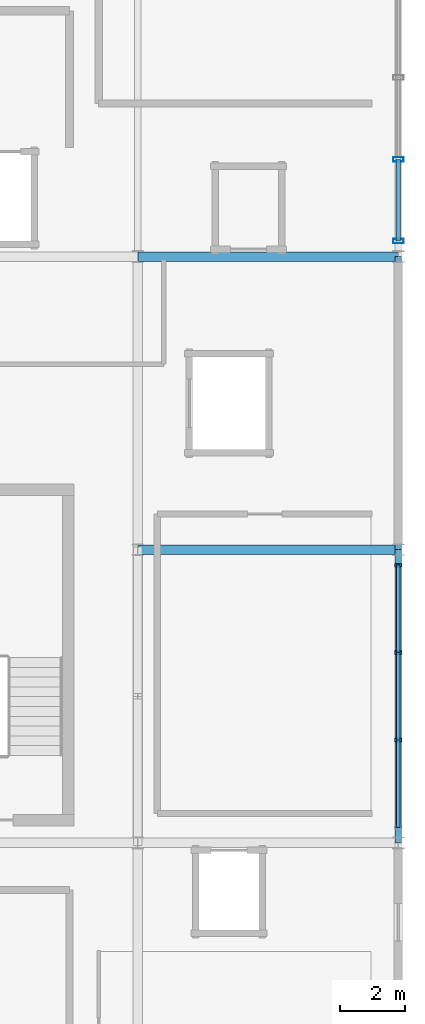
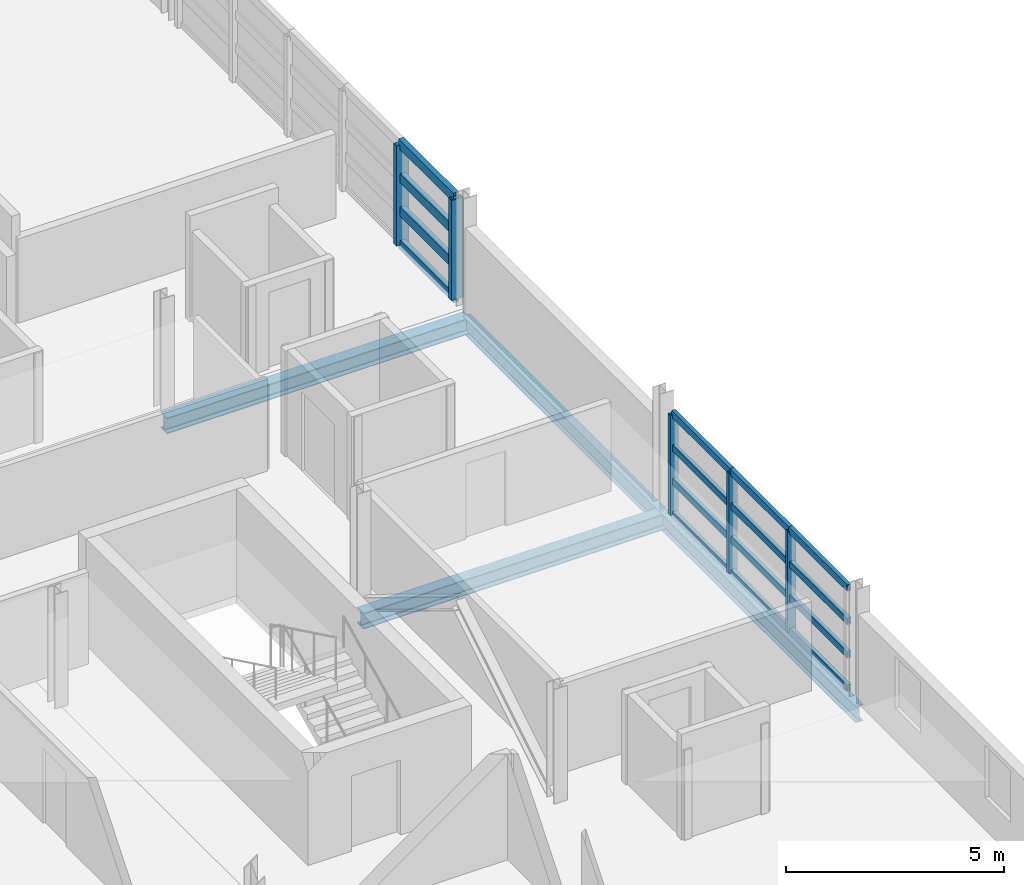
# One storey, part 17 of 30: 21 members, 4 beams, 2 elements without a shape of their own.
"""IFC4 building model written with IfcOpenShell, lengths in metres."""

import ifcopenshell
import ifcopenshell.guid

model = None  # the IFC model being written
_history = None  # IfcOwnerHistory: only IFC2X3 demands one
_inside = {}  # id of a spatial element -> (the spatial element, [elements in it])
_under = {}  # id of a project, library or spatial element -> (it, [spatial elements below it])
_declared = {}  # id of a project -> (the project, [libraries it declares])
_typed = {}  # id of a type object -> (the type object, [elements of that type])
_made_of = {}  # id of a material, layer set ... -> (it, [elements and type objects made of it])


def new_model(schema):
    """Start an empty IFC model of exactly this schema.

    Asked for "IFC4X3", IfcOpenShell would pick the latest addendum, in which some entities
    have other attributes; the version numbers below select the first issue.
    IFC2X3 requires an IfcOwnerHistory on every rooted entity: one is made here for all.
    """
    global model, _history
    if schema == "IFC4X3":
        model = ifcopenshell.file(schema_version=(4, 3, 0, 0))
    else:
        model = ifcopenshell.file(schema=schema)
    _inside.clear()
    _under.clear()
    _declared.clear()
    _typed.clear()
    _made_of.clear()
    _history = None
    if model.schema == "IFC2X3":
        org = make("IfcOrganization", Name="unknown")
        user = make(
            "IfcPersonAndOrganization",
            ThePerson=make("IfcPerson", FamilyName="unknown"),
            TheOrganization=org,
        )
        app = make(
            "IfcApplication",
            ApplicationDeveloper=org,
            Version="unknown",
            ApplicationFullName="unknown",
            ApplicationIdentifier="unknown",
        )
        _history = make(
            "IfcOwnerHistory",
            OwningUser=user,
            OwningApplication=app,
            ChangeAction="ADDED",
            CreationDate=0,
        )
    return model


def make(cls, **values):
    """One entity of the class cls with the attributes given. An attribute that is None is left unset."""
    return model.create_entity(
        cls, **{name: value for name, value in values.items() if value is not None}
    )


def rooted(cls, **values):
    """An entity with a GlobalId (a new one), such as an element, a storey or a relation."""
    return make(cls, GlobalId=ifcopenshell.guid.new(), OwnerHistory=_history, **values)


def si_unit(unit_type, name, prefix=None):
    """IfcSIUnit, for example si_unit("LENGTHUNIT", "METRE", prefix="MILLI")."""
    return make("IfcSIUnit", UnitType=unit_type, Prefix=prefix, Name=name)


def assignment(units):
    """IfcUnitAssignment: the units of a project."""
    return None if units is None else make("IfcUnitAssignment", Units=units)


def point(xyz):
    """IfcCartesianPoint."""
    return None if xyz is None else make("IfcCartesianPoint", Coordinates=xyz)


def direction(xyz):
    """IfcDirection."""
    return None if xyz is None else make("IfcDirection", DirectionRatios=xyz)


def frame(location, z_axis=None, x_axis=None):
    """IfcAxis2Placement3D, a coordinate frame: its origin and axes. An axis left out is left unset."""
    return make(
        "IfcAxis2Placement3D",
        Location=point(location),
        Axis=direction(z_axis),
        RefDirection=direction(x_axis),
    )


def frame_2d(location, x_axis=None):
    """IfcAxis2Placement2D, a coordinate frame in the plane: its origin and x axis."""
    return make(
        "IfcAxis2Placement2D", Location=point(location), RefDirection=direction(x_axis)
    )


def origin():
    """The frame at (0, 0, 0) with its axes left unset."""
    return frame((0.0, 0.0, 0.0))


def origin_2d():
    """The frame at (0, 0) in the plane with its x axis left unset."""
    return frame_2d((0.0, 0.0))


def place(relative_to, where):
    """IfcLocalPlacement: puts the frame where relative to a parent placement (None: the world)."""
    return make(
        "IfcLocalPlacement", PlacementRelTo=relative_to, RelativePlacement=where
    )


def context(
    kind, dimensions, precision=None, world=None, true_north=None, identifier=None
):
    """IfcGeometricRepresentationContext, for example the 3D "Model" context."""
    return make(
        "IfcGeometricRepresentationContext",
        ContextIdentifier=identifier,
        ContextType=kind,
        CoordinateSpaceDimension=dimensions,
        Precision=precision,
        WorldCoordinateSystem=world,
        TrueNorth=true_north,
    )


def subcontext(parent, identifier, kind, view, scale=None):
    """IfcGeometricRepresentationSubContext, for example "Body" below "Model"."""
    return make(
        "IfcGeometricRepresentationSubContext",
        ContextIdentifier=identifier,
        ContextType=kind,
        ParentContext=parent,
        TargetScale=scale,
        TargetView=view,
    )


def project(units=None, contexts=None):
    """IfcProject with its units and contexts."""
    return rooted(
        "IfcProject",
        Name="project",
        RepresentationContexts=contexts,
        UnitsInContext=assignment(units),
    )


def spatial(cls, under=None, at=None, **own):
    """A site, building, storey or space (cls), placed at a placement, below another one or the project."""
    s = rooted(cls, ObjectPlacement=at, **own)
    if under is not None:
        _under.setdefault(under.id(), (under, []))[1].append(s)
    return s


def profile(cls, at=None, kind="AREA", **sizes):
    """A parametric profile (cls). Its sizes go by their IFC names, for example OverallWidth=200.0."""
    return make(cls, ProfileType=kind, Position=at, **sizes)


def hollow_rectangle(**sizes):
    """IfcRectangleHollowProfileDef."""
    return profile("IfcRectangleHollowProfileDef", **sizes)


def i_section(**sizes):
    """IfcIShapeProfileDef."""
    return profile("IfcIShapeProfileDef", **sizes)


def extrude(swept, where, along, depth):
    """IfcExtrudedAreaSolid: the profile swept, set in the frame where, extruded along a direction by depth."""
    return make(
        "IfcExtrudedAreaSolid",
        SweptArea=swept,
        Position=where,
        ExtrudedDirection=direction(along),
        Depth=depth,
    )


def shape(context_of_items, identifier, shape_type, items):
    """IfcShapeRepresentation: the items that make up one representation, for example the "Body"."""
    return make(
        "IfcShapeRepresentation",
        ContextOfItems=context_of_items,
        RepresentationIdentifier=identifier,
        RepresentationType=shape_type,
        Items=items,
    )


def material(Name=None, Category=None):
    """IfcMaterial."""
    return make("IfcMaterial", Name=Name, Category=Category)


def material_profile(
    of_material, cross_section, Name=None, Category=None, Priority=None
):
    """IfcMaterialProfile: a cross section and its material."""
    return make(
        "IfcMaterialProfile",
        Name=Name,
        Material=of_material,
        Profile=cross_section,
        Priority=Priority,
        Category=Category,
    )


def profile_set(profiles, Name=None, composite=None):
    """IfcMaterialProfileSet."""
    return make(
        "IfcMaterialProfileSet",
        Name=Name,
        MaterialProfiles=profiles,
        CompositeProfile=composite,
    )


def made_of(thing, what):
    """Note that an element or type object is made of a material, layer set ...; save() writes the relation."""
    if what is not None:
        _made_of.setdefault(what.id(), (what, []))[1].append(thing)
    return thing


def type_object(cls, material=None, **own):
    """A type object (cls), such as IfcWallType, which elements share."""
    return made_of(rooted(cls, **own), material)


def element(
    cls,
    number,
    at=None,
    inside=None,
    cuts=None,
    type_object=None,
    material=None,
    context=None,
    identifier="Body",
    shape_type=None,
    held_by="IfcProductDefinitionShape",
    body=None,
    shapes=None,
    **own,
):
    """One element of the class cls, such as IfcWall. Its Tag is "e" and its number.

    at: its placement. inside: the storey or other place that contains it. cuts: it is an
    opening in that element (IfcRelVoidsElement). A single representation is given by context,
    identifier, shape_type and body (its items); several are given by shapes. held_by: the class
    of the entity that holds the representations. save() writes the other relations.
    """
    e = rooted(cls, Tag="e%d" % number, ObjectPlacement=at, **own)
    if body is not None:
        shapes = [shape(context, identifier, shape_type, body)]
    if shapes is not None:
        e.Representation = make(held_by, Representations=shapes)
    if inside is not None:
        _inside.setdefault(inside.id(), (inside, []))[1].append(e)
    if cuts is not None:
        rooted(
            "IfcRelVoidsElement", RelatingBuildingElement=cuts, RelatedOpeningElement=e
        )
    if type_object is not None:
        _typed.setdefault(type_object.id(), (type_object, []))[1].append(e)
    return made_of(e, material)


def aggregate(whole, parts):
    """IfcRelAggregates: a whole, such as a stair, and the parts it consists of."""
    return rooted("IfcRelAggregates", RelatingObject=whole, RelatedObjects=parts)


def save(model, path):
    """Write the relations noted so far, then the file.

    IfcRelAggregates (storeys below a building ...), IfcRelContainedInSpatialStructure (elements
    in a storey), IfcRelDefinesByType, IfcRelAssociatesMaterial and IfcRelDeclares: one each for
    every whole, place, type object, material and project.
    """
    for whole, parts in _under.values():
        aggregate(whole, parts)
    for where, things in _inside.values():
        rooted(
            "IfcRelContainedInSpatialStructure",
            RelatedElements=things,
            RelatingStructure=where,
        )
    for kind, things in _typed.values():
        rooted("IfcRelDefinesByType", RelatedObjects=things, RelatingType=kind)
    for what, things in _made_of.values():
        rooted("IfcRelAssociatesMaterial", RelatedObjects=things, RelatingMaterial=what)
    for by, libraries in _declared.values():
        rooted("IfcRelDeclares", RelatingContext=by, RelatedDefinitions=libraries)
    model.write(path)


model = new_model("IFC4")

# Units and contexts
model_context = context("Model", 3, precision=1e-05, world=origin(), true_north=direction((0.0, 1.0)))
body_context = subcontext(model_context, "Body", "Model", "MODEL_VIEW")
ifc_project = project(units=[si_unit("LENGTHUNIT", "METRE"), si_unit("AREAUNIT", "SQUARE_METRE"), si_unit("VOLUMEUNIT", "CUBIC_METRE"), si_unit("PLANEANGLEUNIT", "RADIAN"), si_unit("MASSUNIT", "GRAM", prefix="KILO")], contexts=[model_context])

# Site, building, storey
site_placement = place(None, origin())
site = spatial("IfcSite", under=ifc_project, at=site_placement, CompositionType="ELEMENT")
building_placement = place(site_placement, origin())
building = spatial("IfcBuilding", under=site, at=building_placement, Name="Chuanluo Vaults Station", CompositionType="ELEMENT")
storey_placement = place(building_placement, frame((0.0, 0.0, 17.60009765625)))
storey = spatial("IfcBuildingStorey", under=building, at=storey_placement, Name="L04", CompositionType="ELEMENT", Elevation=17.60009765625)

# Beams
ifc_material_1 = material(Name="Steel Q355C", Category="steel")
ifc_material_profile_1 = material_profile(ifc_material_1, i_section(OverallWidth=0.300048828125, OverallDepth=0.43994140625, WebThickness=0.010986328125, FlangeThickness=0.01806640625, FilletRadius=0.02001953125, at=origin_2d()))
ifc_profile_set_1 = profile_set([ifc_material_profile_1], Name="Steel Q355C")
beam_type_1 = type_object("IfcBeamType", Name="BM-GRD-450", PredefinedType="USERDEFINED", material=ifc_profile_set_1)
for number, where, z_axis, x_axis, name in (
    (1, (180.0, 94.5, -0.420166015625), (1.0, 0.0, 0.0), (0.0, 1.0, 0.0), "Floor girder BM:GX:L04:0874"),
    (2, (180.0, 103.5, -0.420166015625), (1.0, 0.0, 0.0), (0.0, 1.0, 0.0), "Floor girder BM:GX:L04:0882"),
):
    element("IfcBeam", number, at=place(storey_placement, frame(where, z_axis=z_axis, x_axis=x_axis)), inside=storey, type_object=beam_type_1, Name=name, ObjectType="GIRDER", PredefinedType="USERDEFINED", context=body_context, shape_type="SweptSolid", body=[
        extrude(i_section(OverallWidth=0.300048828125, OverallDepth=0.43994140625, WebThickness=0.010986328125, FlangeThickness=0.01806640625, FilletRadius=0.02001953125, at=origin_2d()), origin(), (0.0, 0.0, 1.0), 8.0),
    ])
ifc_material_2 = material(Name="Steel Q355C", Category="steel")
ifc_material_profile_2 = material_profile(ifc_material_2, i_section(OverallWidth=0.205078125, OverallDepth=0.4599609375, WebThickness=0.009033203125, FlangeThickness=0.013916015625, FilletRadius=0.01611328125, at=origin_2d()))
ifc_profile_set_2 = profile_set([ifc_material_profile_2], Name="Steel Q355C")
beam_type_2 = type_object("IfcBeamType", Name="BM-SPN-450", PredefinedType="SPANDREL", material=ifc_profile_set_2)
for number, where, z_axis, x_axis, name in (
    (3, (188.0, 85.5, -0.43017578125), (0.0, 1.0, 0.0), (-1.0, 0.0, 0.0), "Floor girder BM:GY:L04:0950"),
    (4, (188.0, 94.5, -0.43017578125), (0.0, 1.0, 0.0), (-1.0, 0.0, 0.0), "Floor girder BM:GY:L04:0951"),
):
    element("IfcBeam", number, at=place(storey_placement, frame(where, z_axis=z_axis, x_axis=x_axis)), inside=storey, type_object=beam_type_2, Name=name, PredefinedType="SPANDREL", context=body_context, shape_type="SweptSolid", body=[
        extrude(i_section(OverallWidth=0.205078125, OverallDepth=0.4599609375, WebThickness=0.009033203125, FlangeThickness=0.013916015625, FilletRadius=0.01611328125, at=origin_2d()), origin(), (0.0, 0.0, 1.0), 9.0),
    ])

# Curtain wall, members
ifc_material_3 = material(Name="Anodised aluminium 6063-T6", Category="aluminium")
curtain_wall_type_1 = type_object("IfcCurtainWallType", Name="CW-SYS-20", PredefinedType="NOTDEFINED", material=ifc_material_3)
curtain_wall_1_placement = place(storey_placement, origin())
curtain_wall_1 = element("IfcCurtainWall", 5, at=curtain_wall_1_placement, inside=storey, type_object=curtain_wall_type_1, Name="Operations L04 facade CW", PredefinedType="NOTDEFINED")
ifc_material_4 = material(Name="Anodised aluminium 6063-T6", Category="aluminium")
ifc_material_profile_3 = material_profile(ifc_material_4, hollow_rectangle(XDim=0.10498046875, YDim=0.219970703125, WallThickness=0.006103515625, at=origin_2d()))
ifc_profile_set_3 = profile_set([ifc_material_profile_3], Name="Anodised aluminium 6063-T6")
member_type_1 = type_object("IfcMemberType", Name="CWM-140", PredefinedType="MULLION", material=ifc_profile_set_3)
member_1_placement = place(storey_placement, frame((188.0, 94.02490234375, 0.0), z_axis=(0.0, 0.0, 1.0), x_axis=(0.0, -1.0, 0.0)))
member_1 = element("IfcMember", 6, at=member_1_placement, type_object=member_type_1, Name="Operations L04 facade CW mullion 1", PredefinedType="MULLION", context=body_context, shape_type="SweptSolid", body=[
    extrude(hollow_rectangle(XDim=0.10498046875, YDim=0.219970703125, WallThickness=0.006103515625, at=origin_2d()), origin(), (0.0, 0.0, 1.0), 2.7998046875),
])
member_2_placement = place(storey_placement, frame((188.0, 91.341796875, 0.0), z_axis=(0.0, 0.0, 1.0), x_axis=(0.0, -1.0, 0.0)))
member_2 = element("IfcMember", 7, at=member_2_placement, type_object=member_type_1, Name="Operations L04 facade CW mullion 2", PredefinedType="MULLION", context=body_context, shape_type="SweptSolid", body=[
    extrude(hollow_rectangle(XDim=0.10498046875, YDim=0.219970703125, WallThickness=0.006103515625, at=origin_2d()), origin(), (0.0, 0.0, 1.0), 2.7998046875),
])
member_3_placement = place(storey_placement, frame((188.0, 88.658203125, 0.0), z_axis=(0.0, 0.0, 1.0), x_axis=(0.0, -1.0, 0.0)))
member_3 = element("IfcMember", 8, at=member_3_placement, type_object=member_type_1, Name="Operations L04 facade CW mullion 3", PredefinedType="MULLION", context=body_context, shape_type="SweptSolid", body=[
    extrude(hollow_rectangle(XDim=0.10498046875, YDim=0.219970703125, WallThickness=0.006103515625, at=origin_2d()), origin(), (0.0, 0.0, 1.0), 2.7998046875),
])

ifc_material_5 = material(Name="Anodised aluminium 6063-T6", Category="aluminium")
curtain_wall_type_2 = type_object("IfcCurtainWallType", Name="CW-SYS-21", PredefinedType="NOTDEFINED", material=ifc_material_5)
curtain_wall_2_placement = place(storey_placement, origin())
curtain_wall_2 = element("IfcCurtainWall", 9, at=curtain_wall_2_placement, inside=storey, type_object=curtain_wall_type_2, Name="Operations L04 facade CW", PredefinedType="NOTDEFINED")
ifc_material_6 = material(Name="Anodised aluminium 6063-T6", Category="aluminium")
ifc_material_profile_4 = material_profile(ifc_material_6, hollow_rectangle(XDim=0.139892578125, YDim=0.320068359375, WallThickness=0.008056640625, at=origin_2d()))
ifc_profile_set_4 = profile_set([ifc_material_profile_4], Name="Anodised aluminium 6063-T6")
member_type_2 = type_object("IfcMemberType", Name="CWM-220", PredefinedType="MULLION", material=ifc_profile_set_4)
member_4_placement = place(storey_placement, frame((188.0, 106.485107421875, 0.0), z_axis=(0.0, 0.0, 1.0), x_axis=(0.0, -1.0, 0.0)))
member_4 = element("IfcMember", 10, at=member_4_placement, type_object=member_type_2, Name="Operations L04 facade CW mullion 5", PredefinedType="MULLION", context=body_context, shape_type="SweptSolid", body=[
    extrude(hollow_rectangle(XDim=0.139892578125, YDim=0.320068359375, WallThickness=0.008056640625, at=origin_2d()), origin(), (0.0, 0.0, 1.0), 2.7998046875),
])
member_5_placement = place(storey_placement, frame((188.0, 103.97509765625, 0.0), z_axis=(0.0, 0.0, 1.0), x_axis=(0.0, -1.0, 0.0)))
member_5 = element("IfcMember", 11, at=member_5_placement, type_object=member_type_2, Name="Operations L04 facade CW mullion 6", PredefinedType="MULLION", context=body_context, shape_type="SweptSolid", body=[
    extrude(hollow_rectangle(XDim=0.139892578125, YDim=0.320068359375, WallThickness=0.008056640625, at=origin_2d()), origin(), (0.0, 0.0, 1.0), 2.7998046875),
])

# Member
ifc_material_7 = material(Name="Anodised aluminium 6063-T6", Category="aluminium")
ifc_material_profile_5 = material_profile(ifc_material_7, hollow_rectangle(XDim=0.10498046875, YDim=0.18505859375, WallThickness=0.0048828125, at=origin_2d()))
ifc_profile_set_5 = profile_set([ifc_material_profile_5], Name="Anodised aluminium 6063-T6")
member_type_3 = type_object("IfcMemberType", Name="CWT-110", PredefinedType="USERDEFINED", material=ifc_profile_set_5)
member_6_placement = place(storey_placement, frame((188.0, 94.02490234375, 0.0), z_axis=(0.0, -1.0, 0.0), x_axis=(1.0, 0.0, 0.0)))
member_6 = element("IfcMember", 12, at=member_6_placement, type_object=member_type_3, Name="Operations L04 facade CW transom 1.1", ObjectType="TRANSOM", PredefinedType="USERDEFINED", context=body_context, shape_type="SweptSolid", body=[
    extrude(hollow_rectangle(XDim=0.10498046875, YDim=0.18505859375, WallThickness=0.0048828125, at=origin_2d()), origin(), (0.0, 0.0, 1.0), 2.68310546875),
])

member_7_placement = place(storey_placement, frame((188.0, 94.02490234375, 0.93310546875), z_axis=(0.0, -1.0, 0.0), x_axis=(1.0, 0.0, 0.0)))
member_7 = element("IfcMember", 13, at=member_7_placement, type_object=member_type_3, Name="Operations L04 facade CW transom 1.2", ObjectType="TRANSOM", PredefinedType="USERDEFINED", context=body_context, shape_type="SweptSolid", body=[
    extrude(hollow_rectangle(XDim=0.10498046875, YDim=0.18505859375, WallThickness=0.0048828125, at=origin_2d()), origin(), (0.0, 0.0, 1.0), 2.68310546875),
])

member_8_placement = place(storey_placement, frame((188.0, 94.02490234375, 1.86669921875), z_axis=(0.0, -1.0, 0.0), x_axis=(1.0, 0.0, 0.0)))
member_8 = element("IfcMember", 14, at=member_8_placement, type_object=member_type_3, Name="Operations L04 facade CW transom 1.3", ObjectType="TRANSOM", PredefinedType="USERDEFINED", context=body_context, shape_type="SweptSolid", body=[
    extrude(hollow_rectangle(XDim=0.10498046875, YDim=0.18505859375, WallThickness=0.0048828125, at=origin_2d()), origin(), (0.0, 0.0, 1.0), 2.68310546875),
])

member_9_placement = place(storey_placement, frame((188.0, 94.02490234375, 2.7998046875), z_axis=(0.0, -1.0, 0.0), x_axis=(1.0, 0.0, 0.0)))
member_9 = element("IfcMember", 15, at=member_9_placement, type_object=member_type_3, Name="Operations L04 facade CW transom 1.4", ObjectType="TRANSOM", PredefinedType="USERDEFINED", context=body_context, shape_type="SweptSolid", body=[
    extrude(hollow_rectangle(XDim=0.10498046875, YDim=0.18505859375, WallThickness=0.0048828125, at=origin_2d()), origin(), (0.0, 0.0, 1.0), 2.68310546875),
])

member_10_placement = place(storey_placement, frame((188.0, 91.341796875, 0.0), z_axis=(0.0, -1.0, 0.0), x_axis=(1.0, 0.0, 0.0)))
member_10 = element("IfcMember", 16, at=member_10_placement, type_object=member_type_3, Name="Operations L04 facade CW transom 2.1", ObjectType="TRANSOM", PredefinedType="USERDEFINED", context=body_context, shape_type="SweptSolid", body=[
    extrude(hollow_rectangle(XDim=0.10498046875, YDim=0.18505859375, WallThickness=0.0048828125, at=origin_2d()), origin(), (0.0, 0.0, 1.0), 2.68359375),
])

member_11_placement = place(storey_placement, frame((188.0, 91.341796875, 0.93310546875), z_axis=(0.0, -1.0, 0.0), x_axis=(1.0, 0.0, 0.0)))
member_11 = element("IfcMember", 17, at=member_11_placement, type_object=member_type_3, Name="Operations L04 facade CW transom 2.2", ObjectType="TRANSOM", PredefinedType="USERDEFINED", context=body_context, shape_type="SweptSolid", body=[
    extrude(hollow_rectangle(XDim=0.10498046875, YDim=0.18505859375, WallThickness=0.0048828125, at=origin_2d()), origin(), (0.0, 0.0, 1.0), 2.68359375),
])

member_12_placement = place(storey_placement, frame((188.0, 91.341796875, 1.86669921875), z_axis=(0.0, -1.0, 0.0), x_axis=(1.0, 0.0, 0.0)))
member_12 = element("IfcMember", 18, at=member_12_placement, type_object=member_type_3, Name="Operations L04 facade CW transom 2.3", ObjectType="TRANSOM", PredefinedType="USERDEFINED", context=body_context, shape_type="SweptSolid", body=[
    extrude(hollow_rectangle(XDim=0.10498046875, YDim=0.18505859375, WallThickness=0.0048828125, at=origin_2d()), origin(), (0.0, 0.0, 1.0), 2.68359375),
])

member_13_placement = place(storey_placement, frame((188.0, 91.341796875, 2.7998046875), z_axis=(0.0, -1.0, 0.0), x_axis=(1.0, 0.0, 0.0)))
member_13 = element("IfcMember", 19, at=member_13_placement, type_object=member_type_3, Name="Operations L04 facade CW transom 2.4", ObjectType="TRANSOM", PredefinedType="USERDEFINED", context=body_context, shape_type="SweptSolid", body=[
    extrude(hollow_rectangle(XDim=0.10498046875, YDim=0.18505859375, WallThickness=0.0048828125, at=origin_2d()), origin(), (0.0, 0.0, 1.0), 2.68359375),
])

member_14_placement = place(storey_placement, frame((188.0, 88.658203125, 0.0), z_axis=(0.0, -1.0, 0.0), x_axis=(1.0, 0.0, 0.0)))
member_14 = element("IfcMember", 20, at=member_14_placement, type_object=member_type_3, Name="Operations L04 facade CW transom 3.1", ObjectType="TRANSOM", PredefinedType="USERDEFINED", context=body_context, shape_type="SweptSolid", body=[
    extrude(hollow_rectangle(XDim=0.10498046875, YDim=0.18505859375, WallThickness=0.0048828125, at=origin_2d()), origin(), (0.0, 0.0, 1.0), 2.68310546875),
])

member_15_placement = place(storey_placement, frame((188.0, 88.658203125, 0.93310546875), z_axis=(0.0, -1.0, 0.0), x_axis=(1.0, 0.0, 0.0)))
member_15 = element("IfcMember", 21, at=member_15_placement, type_object=member_type_3, Name="Operations L04 facade CW transom 3.2", ObjectType="TRANSOM", PredefinedType="USERDEFINED", context=body_context, shape_type="SweptSolid", body=[
    extrude(hollow_rectangle(XDim=0.10498046875, YDim=0.18505859375, WallThickness=0.0048828125, at=origin_2d()), origin(), (0.0, 0.0, 1.0), 2.68310546875),
])

member_16_placement = place(storey_placement, frame((188.0, 88.658203125, 1.86669921875), z_axis=(0.0, -1.0, 0.0), x_axis=(1.0, 0.0, 0.0)))
member_16 = element("IfcMember", 22, at=member_16_placement, type_object=member_type_3, Name="Operations L04 facade CW transom 3.3", ObjectType="TRANSOM", PredefinedType="USERDEFINED", context=body_context, shape_type="SweptSolid", body=[
    extrude(hollow_rectangle(XDim=0.10498046875, YDim=0.18505859375, WallThickness=0.0048828125, at=origin_2d()), origin(), (0.0, 0.0, 1.0), 2.68310546875),
])

member_17_placement = place(storey_placement, frame((188.0, 88.658203125, 2.7998046875), z_axis=(0.0, -1.0, 0.0), x_axis=(1.0, 0.0, 0.0)))
member_17 = element("IfcMember", 23, at=member_17_placement, type_object=member_type_3, Name="Operations L04 facade CW transom 3.4", ObjectType="TRANSOM", PredefinedType="USERDEFINED", context=body_context, shape_type="SweptSolid", body=[
    extrude(hollow_rectangle(XDim=0.10498046875, YDim=0.18505859375, WallThickness=0.0048828125, at=origin_2d()), origin(), (0.0, 0.0, 1.0), 2.68310546875),
])

aggregate(curtain_wall_1, [member_1, member_2, member_3, member_6, member_7, member_8, member_9, member_10, member_11, member_12, member_13, member_14, member_15, member_16, member_17])

ifc_material_8 = material(Name="Anodised aluminium 6063-T6", Category="aluminium")
ifc_material_profile_6 = material_profile(ifc_material_8, hollow_rectangle(XDim=0.139892578125, YDim=0.260009765625, WallThickness=0.007080078125, at=origin_2d()))
ifc_profile_set_6 = profile_set([ifc_material_profile_6], Name="Anodised aluminium 6063-T6")
member_type_4 = type_object("IfcMemberType", Name="CWT-180", PredefinedType="USERDEFINED", material=ifc_profile_set_6)
member_18_placement = place(storey_placement, frame((188.0, 106.485107421875, 0.0), z_axis=(0.0, -1.0, 0.0), x_axis=(1.0, 0.0, 0.0)))
member_18 = element("IfcMember", 24, at=member_18_placement, type_object=member_type_4, Name="Operations L04 facade CW transom 5.1", ObjectType="TRANSOM", PredefinedType="USERDEFINED", context=body_context, shape_type="SweptSolid", body=[
    extrude(hollow_rectangle(XDim=0.139892578125, YDim=0.260009765625, WallThickness=0.007080078125, at=origin_2d()), origin(), (0.0, 0.0, 1.0), 2.510009765625),
])

member_19_placement = place(storey_placement, frame((188.0, 106.485107421875, 0.93310546875), z_axis=(0.0, -1.0, 0.0), x_axis=(1.0, 0.0, 0.0)))
member_19 = element("IfcMember", 25, at=member_19_placement, type_object=member_type_4, Name="Operations L04 facade CW transom 5.2", ObjectType="TRANSOM", PredefinedType="USERDEFINED", context=body_context, shape_type="SweptSolid", body=[
    extrude(hollow_rectangle(XDim=0.139892578125, YDim=0.260009765625, WallThickness=0.007080078125, at=origin_2d()), origin(), (0.0, 0.0, 1.0), 2.510009765625),
])

member_20_placement = place(storey_placement, frame((188.0, 106.485107421875, 1.86669921875), z_axis=(0.0, -1.0, 0.0), x_axis=(1.0, 0.0, 0.0)))
member_20 = element("IfcMember", 26, at=member_20_placement, type_object=member_type_4, Name="Operations L04 facade CW transom 5.3", ObjectType="TRANSOM", PredefinedType="USERDEFINED", context=body_context, shape_type="SweptSolid", body=[
    extrude(hollow_rectangle(XDim=0.139892578125, YDim=0.260009765625, WallThickness=0.007080078125, at=origin_2d()), origin(), (0.0, 0.0, 1.0), 2.510009765625),
])

member_21_placement = place(storey_placement, frame((188.0, 106.485107421875, 2.7998046875), z_axis=(0.0, -1.0, 0.0), x_axis=(1.0, 0.0, 0.0)))
member_21 = element("IfcMember", 27, at=member_21_placement, type_object=member_type_4, Name="Operations L04 facade CW transom 5.4", ObjectType="TRANSOM", PredefinedType="USERDEFINED", context=body_context, shape_type="SweptSolid", body=[
    extrude(hollow_rectangle(XDim=0.139892578125, YDim=0.260009765625, WallThickness=0.007080078125, at=origin_2d()), origin(), (0.0, 0.0, 1.0), 2.510009765625),
])

aggregate(curtain_wall_2, [member_4, member_5, member_18, member_19, member_20, member_21])

save(model, "model.ifc")
